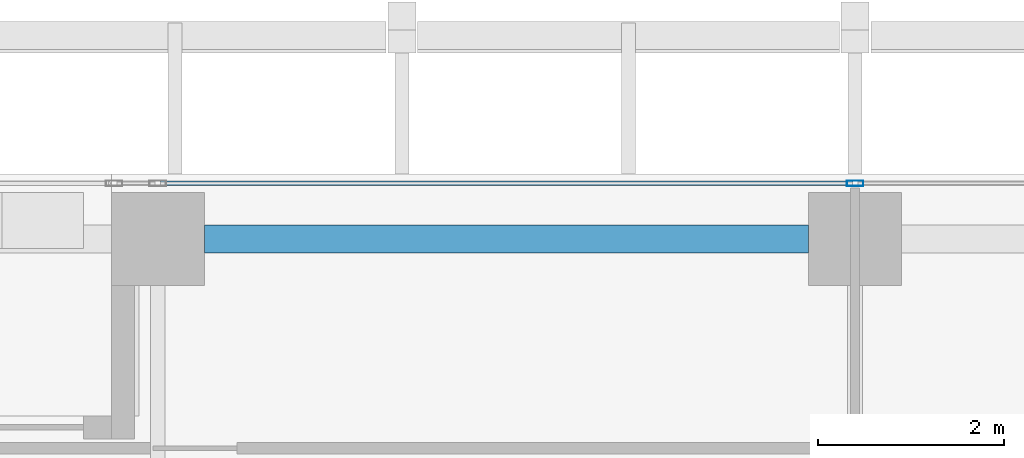
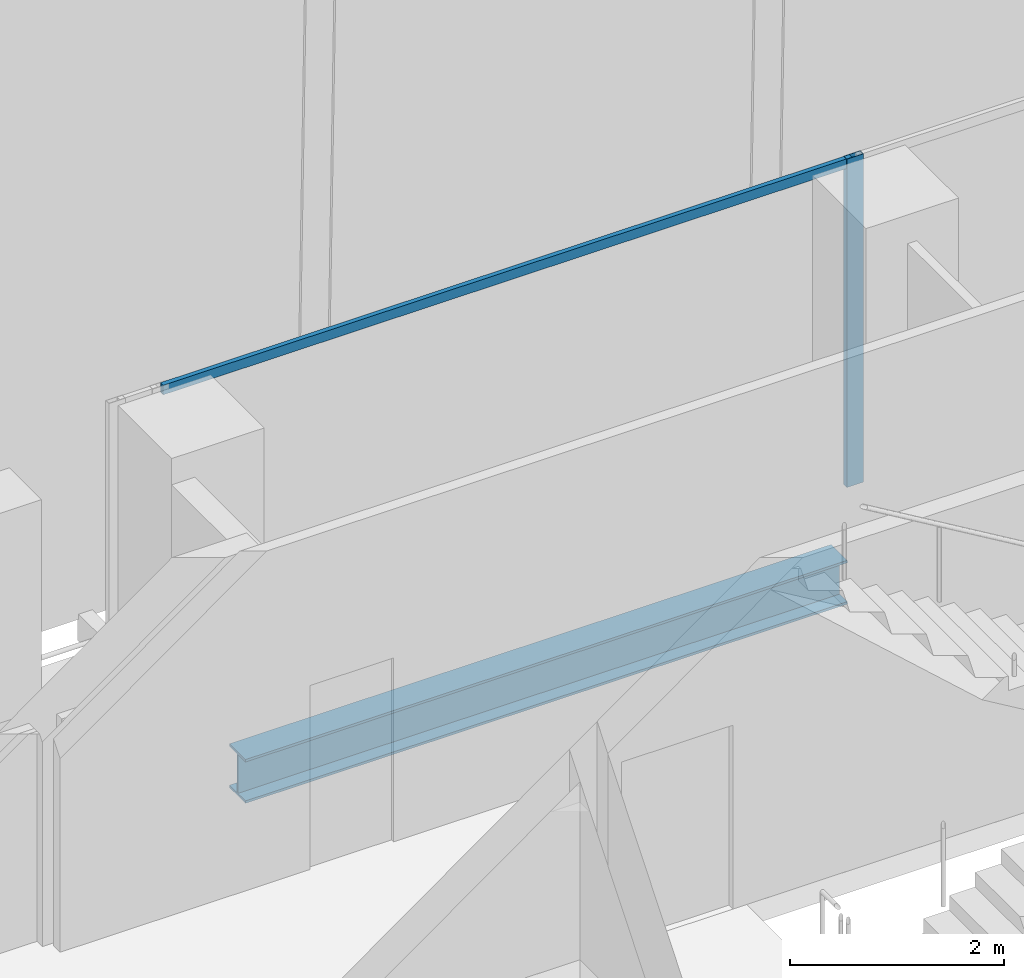
# One storey, part 17 of 35: 2 members, 1 beam, 1 element without a shape of its own.
"""IFC4 building model written with IfcOpenShell, lengths in metres."""

from ifc_helpers import new_model, si_unit, direction, frame, origin, origin_2d, place, context, subcontext, project, spatial, hollow_rectangle, i_section, extrude, source, transform, mapped, material, material_profile, profile_set, type_object, element, aggregate, save


model = new_model("IFC4")

# Units and contexts
model_context = context("Model", 3, precision=1e-05, world=origin(), true_north=direction((0.0, 1.0)))
body_context = subcontext(model_context, "Body", "Model", "MODEL_VIEW")
ifc_project = project(units=[si_unit("LENGTHUNIT", "METRE"), si_unit("AREAUNIT", "SQUARE_METRE"), si_unit("VOLUMEUNIT", "CUBIC_METRE"), si_unit("PLANEANGLEUNIT", "RADIAN"), si_unit("MASSUNIT", "GRAM", prefix="KILO")], contexts=[model_context])

# Site, building, storey
site_placement = place(None, origin())
site = spatial("IfcSite", under=ifc_project, at=site_placement, CompositionType="ELEMENT")
building_placement = place(site_placement, origin())
building = spatial("IfcBuilding", under=site, at=building_placement, Name="Khomas Fold Tower", CompositionType="ELEMENT")
storey_placement = place(building_placement, frame((0.0, 0.0, 200.699951171875)))
storey = spatial("IfcBuildingStorey", under=building, at=storey_placement, Name="L44", CompositionType="ELEMENT", Elevation=200.699951171875)

# Beam
ifc_material_1 = material(Name="Steel S355", Category="steel")
ifc_material_profile_1 = material_profile(ifc_material_1, i_section(OverallWidth=0.300048828125, OverallDepth=0.5, WebThickness=0.014404296875, FlangeThickness=0.028076171875, at=origin_2d()), Name="HE 500 B")
ifc_profile_set_1 = profile_set([ifc_material_profile_1], Name="Steel S355")
beam_type = type_object("IfcBeamType", Name="HE 500 B spandrel SB3", PredefinedType="SPANDREL", material=ifc_profile_set_1)
shared_shape_1 = source(origin(), body_context, "Body", "SweptSolid", [
    extrude(i_section(OverallWidth=0.300048828125, OverallDepth=0.5, WebThickness=0.014404296875, FlangeThickness=0.028076171875, at=origin_2d()), origin(), (0.0, 0.0, 1.0), 6.5),
])
beam_placement = place(storey_placement, frame((20.0, 50.300048828125, -0.5), z_axis=(1.0, 0.0, 0.0), x_axis=(0.0, 1.0, 0.0)))
element("IfcBeam", 1, at=beam_placement, inside=storey, type_object=beam_type, Name="SB3", PredefinedType="SPANDREL", context=body_context, shape_type="MappedRepresentation", body=[
    mapped(shared_shape_1, transform((0.0, 0.0, 0.0))),
])

# Curtain wall, members
ifc_material_2 = material(Name="Aluminium framed double glazing", Category="aluminium")
curtain_wall_type = type_object("IfcCurtainWallType", Name="SK-Unitised clear-glass wall, office floors CW2", PredefinedType="NOTDEFINED", material=ifc_material_2)
curtain_wall_placement = place(storey_placement, origin())
curtain_wall = element("IfcCurtainWall", 2, at=curtain_wall_placement, inside=storey, type_object=curtain_wall_type, Name="CW2 run L44 06-0", PredefinedType="NOTDEFINED")
ifc_material_3 = material(Name="Aluminium", Category="aluminium")
ifc_material_profile_2 = material_profile(ifc_material_3, hollow_rectangle(XDim=0.06005859375, YDim=0.179931640625, WallThickness=0.00390625, at=origin_2d()), Name="SK-Unitised clear-glass wall, office floors mullion CW2-M")
ifc_profile_set_2 = profile_set([ifc_material_profile_2], Name="Aluminium")
member_type_1 = type_object("IfcMemberType", Name="SK-Unitised clear-glass wall, office floors mullion CW2-M", PredefinedType="MULLION", material=ifc_profile_set_2)
shared_shape_2 = source(origin(), body_context, "Body", "SweptSolid", [
    extrude(hollow_rectangle(XDim=0.06005859375, YDim=0.179931640625, WallThickness=0.00390625, at=origin_2d()), origin(), (0.0, 0.0, 1.0), 3.75),
])
member_1_placement = place(storey_placement, frame((27.0, 50.89990234375, 0.0), z_axis=(0.0, 0.0, 1.0), x_axis=(0.0, -1.0, 0.0)))
member_1 = element("IfcMember", 3, at=member_1_placement, type_object=member_type_1, Name="CW2 mullion 3", PredefinedType="MULLION", context=body_context, shape_type="MappedRepresentation", body=[
    mapped(shared_shape_2, transform((0.0, 0.0, 0.0))),
])
ifc_material_4 = material(Name="Aluminium", Category="aluminium")
ifc_material_profile_3 = material_profile(ifc_material_4, hollow_rectangle(XDim=0.050048828125, YDim=0.110107421875, WallThickness=0.00390625, at=origin_2d()), Name="SK-Unitised clear-glass wall, office floors transom CW2-T")
ifc_profile_set_3 = profile_set([ifc_material_profile_3], Name="Aluminium")
member_type_2 = type_object("IfcMemberType", Name="SK-Unitised clear-glass wall, office floors transom CW2-T", PredefinedType="USERDEFINED", material=ifc_profile_set_3)
shared_shape_3 = source(origin(), body_context, "Body", "SweptSolid", [
    extrude(hollow_rectangle(XDim=0.050048828125, YDim=0.110107421875, WallThickness=0.00390625, at=origin_2d()), origin(), (0.0, 0.0, 1.0), 7.43994140625),
])
member_2_placement = place(storey_placement, frame((26.969970703125, 50.89990234375, 3.695068359375), z_axis=(-1.0, 0.0, 0.0), x_axis=(0.0, -1.0, 0.0)))
member_2 = element("IfcMember", 4, at=member_2_placement, type_object=member_type_2, Name="CW2 transom 3", ObjectType="TRANSOM", PredefinedType="USERDEFINED", context=body_context, shape_type="MappedRepresentation", body=[
    mapped(shared_shape_3, transform((0.0, 0.0, 0.0))),
])
aggregate(curtain_wall, [member_1, member_2])

save(model, "model.ifc")
